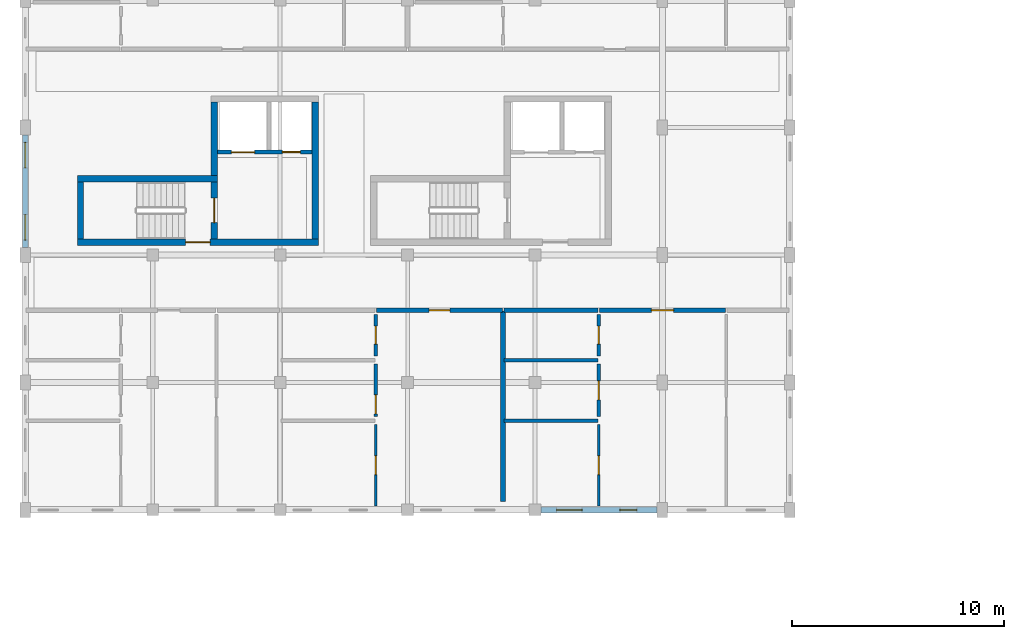
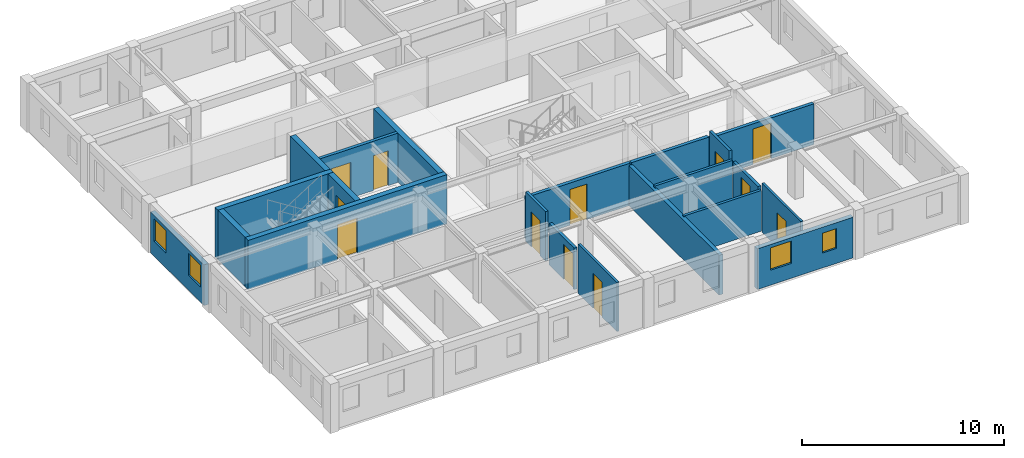
# One storey, part 7 of 28: 21 walls, 12 doors, 4 windows, 16 openings.
"""IFC4 building model written with IfcOpenShell, lengths in metres."""

from ifc_helpers import new_model, si_unit, direction, frame, frame_2d, origin, place, context, subcontext, project, spatial, rectangle, extrude, material, layer, layer_set, type_object, element, fill, save


model = new_model("IFC4")

# Units and contexts
model_context = context("Model", 3, precision=1e-05, world=origin(), true_north=direction((0.0, 1.0)))
body_context = subcontext(model_context, "Body", "Model", "MODEL_VIEW")
ifc_project = project(units=[si_unit("LENGTHUNIT", "METRE"), si_unit("AREAUNIT", "SQUARE_METRE"), si_unit("VOLUMEUNIT", "CUBIC_METRE"), si_unit("PLANEANGLEUNIT", "RADIAN"), si_unit("MASSUNIT", "GRAM", prefix="KILO"), si_unit("POWERUNIT", "WATT"), si_unit("THERMODYNAMICTEMPERATUREUNIT", "KELVIN")], contexts=[model_context])

# Site, building, storey
site_placement = place(None, origin())
site = spatial("IfcSite", under=ifc_project, at=site_placement, CompositionType="ELEMENT")
building_placement = place(site_placement, origin())
building = spatial("IfcBuilding", under=site, at=building_placement, Name="Ruvembo Vaulted Housing Court", CompositionType="ELEMENT")
storey_placement = place(building_placement, frame((0.0, 0.0, 23.699951171875)))
storey = spatial("IfcBuildingStorey", under=building, at=storey_placement, Name="L07", CompositionType="ELEMENT", Elevation=23.699951171875)

# Wall, opening, door
ifc_material_1 = material(Name="Concrete C35/45", Category="concrete")
ifc_layer_1 = layer(ifc_material_1, 0.300048828125, Name="Concrete C35/45")
ifc_layer_set_1 = layer_set([ifc_layer_1], Name="Concrete C35/45")
wall_type_1 = type_object("IfcWallType", Name="WL-CORE-300", PredefinedType="SHEAR", material=ifc_layer_set_1)
wall_1_placement = place(storey_placement, frame((2.449951171875, 18.60009765625, 0.0), z_axis=(0.0, 0.0, 1.0), x_axis=(1.0, 0.0, 0.0)))
wall_1 = element("IfcWall", 1, at=wall_1_placement, inside=storey, type_object=wall_type_1, Name="Core A1 L07 South Shear Wall", PredefinedType="SHEAR", context=body_context, shape_type="SweptSolid", body=[
    extrude(rectangle(XDim=11.35009765625, YDim=0.300048828125, at=frame_2d((5.675048828125, 0.0))), origin(), (0.0, 0.0, 1.0), 2.97509765625),
])
opening_1_placement = place(wall_1_placement, frame((5.10009765625, 0.0, 0.0)))
opening_1 = element("IfcOpeningElement", 2, at=opening_1_placement, cuts=wall_1, Name="Opening LD0", PredefinedType="OPENING", context=body_context, shape_type="SweptSolid", body=[
    extrude(rectangle(XDim=1.14990234375, YDim=2.14990234375, at=frame_2d((0.574951171875, 1.074951171875))), frame((0.0, 0.159912109375, 0.0), z_axis=(0.0, -1.0, 0.0), x_axis=(1.0, 0.0, 0.0)), (0.0, 0.0, 1.0), 0.320068359375),
])
ifc_material_2 = material(Name="Galvanised Painted Steel", Category="steel")
door_type_1 = type_object("IfcDoorType", Name="DR-LOB-1150x2150", OperationType="NOTDEFINED", PredefinedType="DOOR", material=ifc_material_2)
door_1_placement = place(opening_1_placement, origin())
door_1 = element("IfcDoor", 3, at=door_1_placement, inside=storey, type_object=door_type_1, Name="Core A1 L07 Lobby Fire Door", OperationType="SINGLE_SWING_LEFT", OverallHeight=2.14990234375, OverallWidth=1.14990234375, PredefinedType="DOOR", context=body_context, shape_type="SweptSolid", body=[
    extrude(rectangle(XDim=1.14990234375, YDim=2.14990234375, at=frame_2d((0.574951171875, 1.074951171875))), frame((0.0, 0.02490234375, 0.0), z_axis=(0.0, -1.0, 0.0), x_axis=(1.0, 0.0, 0.0)), (0.0, 0.0, 1.0), 0.050048828125),
])
fill(opening_1, door_1)

# Walls
wall_2_placement = place(storey_placement, frame((9.050048828125, 21.60009765625, 0.0), z_axis=(0.0, 0.0, 1.0), x_axis=(-1.0, 0.0, 0.0)))
element("IfcWall", 4, at=wall_2_placement, inside=storey, type_object=wall_type_1, Name="Core A1 L07 Stair North Shear Wall", PredefinedType="SHEAR", context=body_context, shape_type="SweptSolid", body=[
    extrude(rectangle(XDim=6.60009765625, YDim=0.300048828125, at=frame_2d((3.300048828125, 0.0))), origin(), (0.0, 0.0, 1.0), 2.97509765625),
])
wall_3_placement = place(storey_placement, frame((2.60009765625, 21.449951171875, 0.0), z_axis=(0.0, 0.0, 1.0), x_axis=(0.0, -1.0, 0.0)))
element("IfcWall", 5, at=wall_3_placement, inside=storey, type_object=wall_type_1, Name="Core A1 L07 Stair West Shear Wall", PredefinedType="SHEAR", context=body_context, shape_type="SweptSolid", body=[
    extrude(rectangle(XDim=2.699951171875, YDim=0.300048828125, at=frame_2d((1.35009765625, 0.0))), origin(), (0.0, 0.0, 1.0), 2.97509765625),
])

# Wall, opening, door
wall_4_placement = place(storey_placement, frame((8.89990234375, 18.75, 0.0), z_axis=(0.0, 0.0, 1.0), x_axis=(0.0, 1.0, 0.0)))
wall_4 = element("IfcWall", 6, at=wall_4_placement, inside=storey, type_object=wall_type_1, Name="Core A1 L07 Stair-Lobby Shear Wall", PredefinedType="SHEAR", context=body_context, shape_type="SweptSolid", body=[
    extrude(rectangle(XDim=2.699951171875, YDim=0.300048828125, at=frame_2d((1.35009765625, 0.0))), origin(), (0.0, 0.0, 1.0), 2.97509765625),
])
opening_2_placement = place(wall_4_placement, frame((0.77490234375, 0.0, 0.0)))
opening_2 = element("IfcOpeningElement", 7, at=opening_2_placement, cuts=wall_4, Name="Opening SD1", PredefinedType="OPENING", context=body_context, shape_type="SweptSolid", body=[
    extrude(rectangle(XDim=1.14990234375, YDim=2.14990234375, at=frame_2d((0.574951171875, 1.074951171875))), frame((0.0, 0.159912109375, 0.0), z_axis=(0.0, -1.0, 0.0), x_axis=(1.0, 0.0, 0.0)), (0.0, 0.0, 1.0), 0.320068359375),
])
door_type_2 = type_object("IfcDoorType", Name="DR-STAIR-1150x2150", OperationType="NOTDEFINED", PredefinedType="DOOR", material=ifc_material_2)
door_2_placement = place(opening_2_placement, origin())
door_2 = element("IfcDoor", 8, at=door_2_placement, inside=storey, type_object=door_type_2, Name="Stair ST-A1 L07 Fire Door", OperationType="SINGLE_SWING_RIGHT", OverallHeight=2.14990234375, OverallWidth=1.14990234375, PredefinedType="DOOR", context=body_context, shape_type="SweptSolid", body=[
    extrude(rectangle(XDim=1.14990234375, YDim=2.14990234375, at=frame_2d((0.574951171875, 1.074951171875))), frame((0.0, 0.02490234375, 0.0), z_axis=(0.0, -1.0, 0.0), x_axis=(1.0, 0.0, 0.0)), (0.0, 0.0, 1.0), 0.050048828125),
])
fill(opening_2, door_2)

# Walls
wall_5_placement = place(storey_placement, frame((13.64990234375, 18.75, 0.0), z_axis=(0.0, 0.0, 1.0), x_axis=(0.0, 1.0, 0.0)))
element("IfcWall", 9, at=wall_5_placement, inside=storey, type_object=wall_type_1, Name="Core A1 L07 East Shear Wall", PredefinedType="SHEAR", context=body_context, shape_type="SweptSolid", body=[
    extrude(rectangle(XDim=6.449951171875, YDim=0.300048828125, at=frame_2d((3.22509765625, 0.0))), origin(), (0.0, 0.0, 1.0), 2.97509765625),
])
wall_6_placement = place(storey_placement, frame((8.89990234375, 21.75, 0.0), z_axis=(0.0, 0.0, 1.0), x_axis=(0.0, 1.0, 0.0)))
element("IfcWall", 10, at=wall_6_placement, inside=storey, type_object=wall_type_1, Name="Core A1 L07 Upper West Shear Wall", PredefinedType="SHEAR", context=body_context, shape_type="SweptSolid", body=[
    extrude(rectangle(XDim=3.449951171875, YDim=0.300048828125, at=frame_2d((1.72509765625, 0.0))), origin(), (0.0, 0.0, 1.0), 2.97509765625),
])

# Wall, opening, door
ifc_material_3 = material(Name="Concrete Blockwork 190", Category="masonry")
ifc_layer_2 = layer(ifc_material_3, 0.18994140625, Name="Concrete Blockwork 190")
ifc_layer_set_2 = layer_set([ifc_layer_2], Name="Concrete Blockwork 190")
wall_type_2 = type_object("IfcWallType", Name="WL-CORR-190", PredefinedType="SOLIDWALL", material=ifc_layer_set_2)
wall_7_placement = place(storey_placement, frame((16.5400390625, 15.39990234375, 0.0), z_axis=(0.0, 0.0, 1.0), x_axis=(1.0, 0.0, 0.0)))
wall_7 = element("IfcWall", 11, at=wall_7_placement, inside=storey, type_object=wall_type_2, Name="L07 Flat A-L07-S2 Entrance WL-INT-L07-01874", PredefinedType="SOLIDWALL", context=body_context, shape_type="SweptSolid", body=[
    extrude(rectangle(XDim=5.919921875, YDim=0.18994140625, at=frame_2d((2.9599609375, 0.0))), origin(), (0.0, 0.0, 1.0), 2.548095703125),
])
opening_3_placement = place(wall_7_placement, frame((2.469970703125, 0.0, 0.0)))
opening_3 = element("IfcOpeningElement", 12, at=opening_3_placement, cuts=wall_7, Name="Opening FD2", PredefinedType="OPENING", context=body_context, shape_type="SweptSolid", body=[
    extrude(rectangle(XDim=0.97998046875, YDim=2.14990234375, at=frame_2d((0.489990234375, 1.074951171875))), frame((0.0, 0.10498046875, 0.0), z_axis=(0.0, -1.0, 0.0), x_axis=(1.0, 0.0, 0.0)), (0.0, 0.0, 1.0), 0.2099609375),
])
ifc_material_4 = material(Name="FSC Hardwood and Engineered Timber", Category="wood")
door_type_3 = type_object("IfcDoorType", Name="DR-FLAT-0980x2150", OperationType="NOTDEFINED", PredefinedType="DOOR", material=ifc_material_4)
door_3_placement = place(opening_3_placement, origin())
door_3 = element("IfcDoor", 13, at=door_3_placement, inside=storey, type_object=door_type_3, Name="L07 Flat A-L07-S2 Entrance Door DR-INT-L07-01054", OperationType="SINGLE_SWING_RIGHT", OverallHeight=2.14990234375, OverallWidth=0.97998046875, PredefinedType="DOOR", context=body_context, shape_type="SweptSolid", body=[
    extrude(rectangle(XDim=0.97998046875, YDim=2.14990234375, at=frame_2d((0.489990234375, 1.074951171875))), frame((0.0, 0.02490234375, 0.0), z_axis=(0.0, -1.0, 0.0), x_axis=(1.0, 0.0, 0.0)), (0.0, 0.0, 1.0), 0.050048828125),
])
fill(opening_3, door_3)

# Wall
wall_8_placement = place(storey_placement, frame((22.5400390625, 15.39990234375, 0.0), z_axis=(0.0, 0.0, 1.0), x_axis=(1.0, 0.0, 0.0)))
element("IfcWall", 14, at=wall_8_placement, inside=storey, type_object=wall_type_2, Name="L07 Flat A-L07-S3 Corridor Wall WL-INT-L07-01880", PredefinedType="SOLIDWALL", context=body_context, shape_type="SweptSolid", body=[
    extrude(rectangle(XDim=4.419921875, YDim=0.18994140625, at=frame_2d((2.2099609375, 0.0))), origin(), (0.0, 0.0, 1.0), 2.548095703125),
])

# Wall, opening, door
wall_9_placement = place(storey_placement, frame((27.0400390625, 15.39990234375, 0.0), z_axis=(0.0, 0.0, 1.0), x_axis=(1.0, 0.0, 0.0)))
wall_9 = element("IfcWall", 15, at=wall_9_placement, inside=storey, type_object=wall_type_2, Name="L07 Flat A-L07-S3 Entrance WL-INT-L07-01881", PredefinedType="SOLIDWALL", context=body_context, shape_type="SweptSolid", body=[
    extrude(rectangle(XDim=5.919921875, YDim=0.18994140625, at=frame_2d((2.9599609375, 0.0))), origin(), (0.0, 0.0, 1.0), 2.45703125),
])
opening_4_placement = place(wall_9_placement, frame((2.43505859375, 0.0, 0.0)))
opening_4 = element("IfcOpeningElement", 16, at=opening_4_placement, cuts=wall_9, Name="Opening FD3", PredefinedType="OPENING", context=body_context, shape_type="SweptSolid", body=[
    extrude(rectangle(XDim=1.050048828125, YDim=2.14990234375, at=frame_2d((0.52490234375, 1.074951171875))), frame((0.0, 0.10498046875, 0.0), z_axis=(0.0, -1.0, 0.0), x_axis=(1.0, 0.0, 0.0)), (0.0, 0.0, 1.0), 0.2099609375),
])
door_type_4 = type_object("IfcDoorType", Name="DR-FLAT-1050x2150", OperationType="NOTDEFINED", PredefinedType="DOOR", material=ifc_material_4)
door_4_placement = place(opening_4_placement, origin())
door_4 = element("IfcDoor", 17, at=door_4_placement, inside=storey, type_object=door_type_4, Name="L07 Flat A-L07-S3 Entrance Door DR-INT-L07-01058", OperationType="SINGLE_SWING_RIGHT", OverallHeight=2.14990234375, OverallWidth=1.050048828125, PredefinedType="DOOR", context=body_context, shape_type="SweptSolid", body=[
    extrude(rectangle(XDim=1.050048828125, YDim=2.14990234375, at=frame_2d((0.52490234375, 1.074951171875))), frame((0.0, 0.02490234375, 0.0), z_axis=(0.0, -1.0, 0.0), x_axis=(1.0, 0.0, 0.0)), (0.0, 0.0, 1.0), 0.050048828125),
])
fill(opening_4, door_4)

# Wall
ifc_material_5 = material(Name="Acoustic Masonry Demising 230", Category="masonry")
ifc_layer_3 = layer(ifc_material_5, 0.22998046875, Name="Acoustic Masonry Demising 230")
ifc_layer_set_3 = layer_set([ifc_layer_3], Name="Acoustic Masonry Demising 230")
wall_type_3 = type_object("IfcWallType", Name="WL-DEM-230", PredefinedType="SOLIDWALL", material=ifc_layer_set_3)
wall_10_placement = place(storey_placement, frame((22.5, 6.389892578125, 0.0), z_axis=(0.0, 0.0, 1.0), x_axis=(0.0, 1.0, 0.0)))
element("IfcWall", 18, at=wall_10_placement, inside=storey, type_object=wall_type_3, Name="L07 Demising A-L07-S2 WL-INT-L07-01872", PredefinedType="SOLIDWALL", context=body_context, shape_type="SweptSolid", body=[
    extrude(rectangle(XDim=8.97021484375, YDim=0.22998046875, at=frame_2d((4.485107421875, 0.0))), origin(), (0.0, 0.0, 1.0), 2.407958984375),
])

# Wall, openings, windows
ifc_material_6 = material(Name="Rendered Masonry 270", Category="masonry")
ifc_layer_4 = layer(ifc_material_6, 0.27001953125, Name="Rendered Masonry 270")
ifc_layer_set_4 = layer_set([ifc_layer_4], Name="Rendered Masonry 270")
wall_type_4 = type_object("IfcWallType", Name="WL-EXT-270", PredefinedType="STANDARD", material=ifc_layer_set_4)
wall_11_placement = place(storey_placement, frame((24.27490234375, 6.0, 0.0), z_axis=(0.0, 0.0, 1.0), x_axis=(1.0, 0.0, 0.0)))
wall_11 = element("IfcWall", 19, at=wall_11_placement, inside=storey, type_object=wall_type_4, Name="Block A L07 Exterior Wall STREET #5", PredefinedType="STANDARD", context=body_context, shape_type="SweptSolid", body=[
    extrude(rectangle(XDim=5.47509765625, YDim=0.27001953125, at=frame_2d((2.737548828125, 0.0))), origin(), (0.0, 0.0, 1.0), 2.45703125),
])
opening_5_placement = place(wall_11_placement, frame((0.742431640625, 0.0, 0.89990234375)))
opening_5 = element("IfcOpeningElement", 20, at=opening_5_placement, cuts=wall_11, Name="Opening W12", PredefinedType="OPENING", context=body_context, shape_type="SweptSolid", body=[
    extrude(rectangle(XDim=1.199951171875, YDim=1.35009765625, at=frame_2d((0.60009765625, 0.675048828125))), frame((0.0, 0.14501953125, 0.0), z_axis=(0.0, -1.0, 0.0), x_axis=(1.0, 0.0, 0.0)), (0.0, 0.0, 1.0), 0.2900390625),
])
opening_6_placement = place(wall_11_placement, frame((3.719970703125, 0.0, 0.89990234375)))
opening_6 = element("IfcOpeningElement", 21, at=opening_6_placement, cuts=wall_11, Name="Opening W02", PredefinedType="OPENING", context=body_context, shape_type="SweptSolid", body=[
    extrude(rectangle(XDim=0.800048828125, YDim=1.199951171875, at=frame_2d((0.39990234375, 0.60009765625))), frame((0.0, 0.14501953125, 0.0), z_axis=(0.0, -1.0, 0.0), x_axis=(1.0, 0.0, 0.0)), (0.0, 0.0, 1.0), 0.2900390625),
])
ifc_material_7 = material(Name="Double Solar-Control Glazing in Aluminium Frame", Category="aluminium")
window_type_1 = type_object("IfcWindowType", Name="WIN-0800x1200", PartitioningType="SINGLE_PANEL", PredefinedType="WINDOW", material=ifc_material_7)
window_1_placement = place(opening_6_placement, origin())
window_1 = element("IfcWindow", 22, at=window_1_placement, inside=storey, type_object=window_type_1, Name="Block A L07 Window #306", OverallHeight=1.199951171875, OverallWidth=0.800048828125, PartitioningType="SINGLE_PANEL", PredefinedType="WINDOW", context=body_context, shape_type="SweptSolid", body=[
    extrude(rectangle(XDim=0.800048828125, YDim=1.199951171875, at=frame_2d((0.39990234375, 0.60009765625))), frame((0.0, 0.030029296875, 0.0), z_axis=(0.0, -1.0, 0.0), x_axis=(1.0, 0.0, 0.0)), (0.0, 0.0, 1.0), 0.06005859375),
])
fill(opening_6, window_1)
window_type_2 = type_object("IfcWindowType", Name="WIN-1200x1350", PartitioningType="SINGLE_PANEL", PredefinedType="WINDOW", material=ifc_material_7)
window_2_placement = place(opening_5_placement, origin())
window_2 = element("IfcWindow", 23, at=window_2_placement, inside=storey, type_object=window_type_2, Name="Block A L07 Window #305", OverallHeight=1.35009765625, OverallWidth=1.199951171875, PartitioningType="SINGLE_PANEL", PredefinedType="WINDOW", context=body_context, shape_type="SweptSolid", body=[
    extrude(rectangle(XDim=1.199951171875, YDim=1.35009765625, at=frame_2d((0.60009765625, 0.675048828125))), frame((0.0, 0.030029296875, 0.0), z_axis=(0.0, -1.0, 0.0), x_axis=(1.0, 0.0, 0.0)), (0.0, 0.0, 1.0), 0.06005859375),
])
fill(opening_5, window_2)

wall_12_placement = place(storey_placement, frame((0.0, 23.64990234375, 0.0), z_axis=(0.0, 0.0, 1.0), x_axis=(0.0, -1.0, 0.0)))
wall_12 = element("IfcWall", 24, at=wall_12_placement, inside=storey, type_object=wall_type_4, Name="Block A L07 Exterior Wall WEST #3", PredefinedType="STANDARD", context=body_context, shape_type="SweptSolid", body=[
    extrude(rectangle(XDim=5.2998046875, YDim=0.27001953125, at=frame_2d((2.64990234375, 0.0))), origin(), (0.0, 0.0, 1.0), 2.45703125),
])
opening_7_placement = place(wall_12_placement, frame((0.35009765625, 0.0, 0.89990234375)))
opening_7 = element("IfcOpeningElement", 25, at=opening_7_placement, cuts=wall_12, Name="Opening W12", PredefinedType="OPENING", context=body_context, shape_type="SweptSolid", body=[
    extrude(rectangle(XDim=1.199951171875, YDim=1.35009765625, at=frame_2d((0.60009765625, 0.675048828125))), frame((0.0, 0.14501953125, 0.0), z_axis=(0.0, -1.0, 0.0), x_axis=(1.0, 0.0, 0.0)), (0.0, 0.0, 1.0), 0.2900390625),
])
opening_8_placement = place(wall_12_placement, frame((3.75, 0.0, 0.89990234375)))
opening_8 = element("IfcOpeningElement", 26, at=opening_8_placement, cuts=wall_12, Name="Opening W12", PredefinedType="OPENING", context=body_context, shape_type="SweptSolid", body=[
    extrude(rectangle(XDim=1.199951171875, YDim=1.35009765625, at=frame_2d((0.60009765625, 0.675048828125))), frame((0.0, 0.14501953125, 0.0), z_axis=(0.0, -1.0, 0.0), x_axis=(1.0, 0.0, 0.0)), (0.0, 0.0, 1.0), 0.2900390625),
])
window_3_placement = place(opening_7_placement, origin())
window_3 = element("IfcWindow", 27, at=window_3_placement, inside=storey, type_object=window_type_2, Name="Block A L07 Window #335", OverallHeight=1.35009765625, OverallWidth=1.199951171875, PartitioningType="SINGLE_PANEL", PredefinedType="WINDOW", context=body_context, shape_type="SweptSolid", body=[
    extrude(rectangle(XDim=1.199951171875, YDim=1.35009765625, at=frame_2d((0.60009765625, 0.675048828125))), frame((0.0, 0.030029296875, 0.0), z_axis=(0.0, -1.0, 0.0), x_axis=(1.0, 0.0, 0.0)), (0.0, 0.0, 1.0), 0.06005859375),
])
fill(opening_7, window_3)
window_4_placement = place(opening_8_placement, origin())
window_4 = element("IfcWindow", 28, at=window_4_placement, inside=storey, type_object=window_type_2, Name="Block A L07 Window #336", OverallHeight=1.35009765625, OverallWidth=1.199951171875, PartitioningType="SINGLE_PANEL", PredefinedType="WINDOW", context=body_context, shape_type="SweptSolid", body=[
    extrude(rectangle(XDim=1.199951171875, YDim=1.35009765625, at=frame_2d((0.60009765625, 0.675048828125))), frame((0.0, 0.030029296875, 0.0), z_axis=(0.0, -1.0, 0.0), x_axis=(1.0, 0.0, 0.0)), (0.0, 0.0, 1.0), 0.06005859375),
])
fill(opening_8, window_4)

# Wall, opening, door
ifc_material_8 = material(Name="Plasterboard Stud Partition 125", Category="gypsum")
ifc_layer_5 = layer(ifc_material_8, 0.125, Name="Plasterboard Stud Partition 125")
ifc_layer_set_5 = layer_set([ifc_layer_5], Name="Plasterboard Stud Partition 125")
wall_type_5 = type_object("IfcWallType", Name="WL-PART-125", PredefinedType="PARTITIONING", material=ifc_layer_set_5)
wall_13_placement = place(storey_placement, frame((27.0, 6.18994140625, 0.0), z_axis=(0.0, 0.0, 1.0), x_axis=(0.0, 1.0, 0.0)))
wall_13 = element("IfcWall", 29, at=wall_13_placement, inside=storey, type_object=wall_type_5, Name="L07 Flat A-L07-S3 Bedroom 1 WL-INT-L07-01882", PredefinedType="PARTITIONING", context=body_context, shape_type="SweptSolid", body=[
    extrude(rectangle(XDim=3.820068359375, YDim=0.125, at=frame_2d((1.91015625, 0.0))), origin(), (0.0, 0.0, 1.0), 2.97509765625),
])
opening_9_placement = place(wall_13_placement, frame((1.469970703125, 0.0, 0.0)))
opening_9 = element("IfcOpeningElement", 30, at=opening_9_placement, cuts=wall_13, Name="Opening ID3", PredefinedType="OPENING", context=body_context, shape_type="SweptSolid", body=[
    extrude(rectangle(XDim=0.8798828125, YDim=2.10009765625, at=frame_2d((0.43994140625, 1.050048828125))), frame((0.0, 0.072509765625, 0.0), z_axis=(0.0, -1.0, 0.0), x_axis=(1.0, 0.0, 0.0)), (0.0, 0.0, 1.0), 0.14501953125),
])
door_type_5 = type_object("IfcDoorType", Name="DR-ROOM-0880x2100", OperationType="NOTDEFINED", PredefinedType="DOOR", material=ifc_material_4)
door_5_placement = place(opening_9_placement, origin())
door_5 = element("IfcDoor", 31, at=door_5_placement, inside=storey, type_object=door_type_5, Name="L07 Flat A-L07-S3 Bedroom 1 Door DR-INT-L07-01059", OperationType="SINGLE_SWING_LEFT", OverallHeight=2.10009765625, OverallWidth=0.8798828125, PredefinedType="DOOR", context=body_context, shape_type="SweptSolid", body=[
    extrude(rectangle(XDim=0.8798828125, YDim=2.10009765625, at=frame_2d((0.43994140625, 1.050048828125))), frame((0.0, 0.02490234375, 0.0), z_axis=(0.0, -1.0, 0.0), x_axis=(1.0, 0.0, 0.0)), (0.0, 0.0, 1.0), 0.050048828125),
])
fill(opening_9, door_5)

ifc_material_9 = material(Name="Acoustic Stud Partition 135", Category="gypsum")
ifc_layer_6 = layer(ifc_material_9, 0.135009765625, Name="Acoustic Stud Partition 135")
ifc_layer_set_6 = layer_set([ifc_layer_6], Name="Acoustic Stud Partition 135")
wall_type_6 = type_object("IfcWallType", Name="WL-PART-135", PredefinedType="PARTITIONING", material=ifc_layer_set_6)
wall_14_placement = place(storey_placement, frame((16.5, 6.18994140625, 0.0), z_axis=(0.0, 0.0, 1.0), x_axis=(0.0, 1.0, 0.0)))
wall_14 = element("IfcWall", 32, at=wall_14_placement, inside=storey, type_object=wall_type_6, Name="L07 Flat A-L07-S2 Bedroom 1 WL-INT-L07-01875", PredefinedType="PARTITIONING", context=body_context, shape_type="SweptSolid", body=[
    extrude(rectangle(XDim=3.820068359375, YDim=0.135009765625, at=frame_2d((1.91015625, 0.0))), origin(), (0.0, 0.0, 1.0), 2.97509765625),
])
opening_10_placement = place(wall_14_placement, frame((1.469970703125, 0.0, 0.0)))
opening_10 = element("IfcOpeningElement", 33, at=opening_10_placement, cuts=wall_14, Name="Opening ID3", PredefinedType="OPENING", context=body_context, shape_type="SweptSolid", body=[
    extrude(rectangle(XDim=0.8798828125, YDim=2.10009765625, at=frame_2d((0.43994140625, 1.050048828125))), frame((0.0, 0.077392578125, 0.0), z_axis=(0.0, -1.0, 0.0), x_axis=(1.0, 0.0, 0.0)), (0.0, 0.0, 1.0), 0.155029296875),
])
door_6_placement = place(opening_10_placement, origin())
door_6 = element("IfcDoor", 34, at=door_6_placement, inside=storey, type_object=door_type_5, Name="L07 Flat A-L07-S2 Bedroom 1 Door DR-INT-L07-01055", OperationType="SINGLE_SWING_LEFT", OverallHeight=2.10009765625, OverallWidth=0.8798828125, PredefinedType="DOOR", context=body_context, shape_type="SweptSolid", body=[
    extrude(rectangle(XDim=0.8798828125, YDim=2.10009765625, at=frame_2d((0.43994140625, 1.050048828125))), frame((0.0, 0.02490234375, 0.0), z_axis=(0.0, -1.0, 0.0), x_axis=(1.0, 0.0, 0.0)), (0.0, 0.0, 1.0), 0.050048828125),
])
fill(opening_10, door_6)

ifc_material_10 = material(Name="Moisture-Resistant Wet Partition 150", Category="gypsum")
ifc_layer_7 = layer(ifc_material_10, 0.14990234375, Name="Moisture-Resistant Wet Partition 150")
ifc_layer_set_7 = layer_set([ifc_layer_7], Name="Moisture-Resistant Wet Partition 150")
wall_type_7 = type_object("IfcWallType", Name="WL-PART-150", PredefinedType="PARTITIONING", material=ifc_layer_set_7)
wall_15_placement = place(storey_placement, frame((16.5, 13.239990234375, 0.0), z_axis=(0.0, 0.0, 1.0), x_axis=(0.0, 1.0, 0.0)))
wall_15 = element("IfcWall", 35, at=wall_15_placement, inside=storey, type_object=wall_type_7, Name="L07 Flat A-L07-S2 Bathroom WL-INT-L07-01877", PredefinedType="PARTITIONING", context=body_context, shape_type="SweptSolid", body=[
    extrude(rectangle(XDim=1.969970703125, YDim=0.14990234375, at=frame_2d((0.98486328125, 0.0))), origin(), (0.0, 0.0, 1.0), 2.97509765625),
])
opening_11_placement = place(wall_15_placement, frame((0.56005859375, 0.0, 0.0)))
opening_11 = element("IfcOpeningElement", 36, at=opening_11_placement, cuts=wall_15, Name="Opening ID2", PredefinedType="OPENING", context=body_context, shape_type="SweptSolid", body=[
    extrude(rectangle(XDim=0.85009765625, YDim=2.10009765625, at=frame_2d((0.425048828125, 1.050048828125))), frame((0.0, 0.0849609375, 0.0), z_axis=(0.0, -1.0, 0.0), x_axis=(1.0, 0.0, 0.0)), (0.0, 0.0, 1.0), 0.169921875),
])
door_type_6 = type_object("IfcDoorType", Name="DR-WET-0850x2100", OperationType="NOTDEFINED", PredefinedType="DOOR", material=ifc_material_4)
door_7_placement = place(opening_11_placement, origin())
door_7 = element("IfcDoor", 37, at=door_7_placement, inside=storey, type_object=door_type_6, Name="L07 Flat A-L07-S2 Bathroom Door DR-INT-L07-01057", OperationType="SINGLE_SWING_LEFT", OverallHeight=2.10009765625, OverallWidth=0.85009765625, PredefinedType="DOOR", context=body_context, shape_type="SweptSolid", body=[
    extrude(rectangle(XDim=0.85009765625, YDim=2.10009765625, at=frame_2d((0.425048828125, 1.050048828125))), frame((0.0, 0.02490234375, 0.0), z_axis=(0.0, -1.0, 0.0), x_axis=(1.0, 0.0, 0.0)), (0.0, 0.0, 1.0), 0.050048828125),
])
fill(opening_11, door_7)

wall_16_placement = place(storey_placement, frame((27.0, 13.239990234375, 0.0), z_axis=(0.0, 0.0, 1.0), x_axis=(0.0, 1.0, 0.0)))
wall_16 = element("IfcWall", 38, at=wall_16_placement, inside=storey, type_object=wall_type_7, Name="L07 Flat A-L07-S3 Bathroom WL-INT-L07-01884", PredefinedType="PARTITIONING", context=body_context, shape_type="SweptSolid", body=[
    extrude(rectangle(XDim=1.969970703125, YDim=0.14990234375, at=frame_2d((0.98486328125, 0.0))), origin(), (0.0, 0.0, 1.0), 2.97509765625),
])
opening_12_placement = place(wall_16_placement, frame((0.56005859375, 0.0, 0.0)))
opening_12 = element("IfcOpeningElement", 39, at=opening_12_placement, cuts=wall_16, Name="Opening ID2", PredefinedType="OPENING", context=body_context, shape_type="SweptSolid", body=[
    extrude(rectangle(XDim=0.85009765625, YDim=2.10009765625, at=frame_2d((0.425048828125, 1.050048828125))), frame((0.0, 0.0849609375, 0.0), z_axis=(0.0, -1.0, 0.0), x_axis=(1.0, 0.0, 0.0)), (0.0, 0.0, 1.0), 0.169921875),
])
door_8_placement = place(opening_12_placement, origin())
door_8 = element("IfcDoor", 40, at=door_8_placement, inside=storey, type_object=door_type_6, Name="L07 Flat A-L07-S3 Bathroom Door DR-INT-L07-01061", OperationType="SINGLE_SWING_LEFT", OverallHeight=2.10009765625, OverallWidth=0.85009765625, PredefinedType="DOOR", context=body_context, shape_type="SweptSolid", body=[
    extrude(rectangle(XDim=0.85009765625, YDim=2.10009765625, at=frame_2d((0.425048828125, 1.050048828125))), frame((0.0, 0.02490234375, 0.0), z_axis=(0.0, -1.0, 0.0), x_axis=(1.0, 0.0, 0.0)), (0.0, 0.0, 1.0), 0.050048828125),
])
fill(opening_12, door_8)

# Walls
wall_17_placement = place(storey_placement, frame((22.5400390625, 10.199951171875, 0.0), z_axis=(0.0, 0.0, 1.0), x_axis=(1.0, 0.0, 0.0)))
element("IfcWall", 41, at=wall_17_placement, inside=storey, type_object=wall_type_7, Name="L07 Flat A-L07-S3 Wet Wall 1 WL-INT-L07-01885", PredefinedType="PARTITIONING", context=body_context, shape_type="SweptSolid", body=[
    extrude(rectangle(XDim=4.419921875, YDim=0.14990234375, at=frame_2d((2.2099609375, 0.0))), origin(), (0.0, 0.0, 1.0), 2.4580078125),
])
wall_18_placement = place(storey_placement, frame((22.5400390625, 13.050048828125, 0.0), z_axis=(0.0, 0.0, 1.0), x_axis=(1.0, 0.0, 0.0)))
element("IfcWall", 42, at=wall_18_placement, inside=storey, type_object=wall_type_7, Name="L07 Flat A-L07-S3 Wet Wall 2 WL-INT-L07-01886", PredefinedType="PARTITIONING", context=body_context, shape_type="SweptSolid", body=[
    extrude(rectangle(XDim=4.419921875, YDim=0.14990234375, at=frame_2d((2.2099609375, 0.0))), origin(), (0.0, 0.0, 1.0), 2.548095703125),
])

# Wall, opening, door
ifc_material_11 = material(Name="Acoustic Service Chase Wall 160", Category="gypsum")
ifc_layer_8 = layer(ifc_material_11, 0.159912109375, Name="Acoustic Service Chase Wall 160")
ifc_layer_set_8 = layer_set([ifc_layer_8], Name="Acoustic Service Chase Wall 160")
wall_type_8 = type_object("IfcWallType", Name="WL-PLUMB-160", PredefinedType="PLUMBINGWALL", material=ifc_layer_set_8)
wall_19_placement = place(storey_placement, frame((16.5, 10.389892578125, 0.0), z_axis=(0.0, 0.0, 1.0), x_axis=(0.0, 1.0, 0.0)))
wall_19 = element("IfcWall", 43, at=wall_19_placement, inside=storey, type_object=wall_type_8, Name="L07 Flat A-L07-S2 Kitchen WL-INT-L07-01876", PredefinedType="PLUMBINGWALL", context=body_context, shape_type="SweptSolid", body=[
    extrude(rectangle(XDim=2.47021484375, YDim=0.159912109375, at=frame_2d((1.235107421875, 0.0))), origin(), (0.0, 0.0, 1.0), 2.508056640625),
])
opening_13_placement = place(wall_19_placement, frame((0.1298828125, 0.0, 0.0)))
opening_13 = element("IfcOpeningElement", 44, at=opening_13_placement, cuts=wall_19, Name="Opening ID1", PredefinedType="OPENING", context=body_context, shape_type="SweptSolid", body=[
    extrude(rectangle(XDim=0.89990234375, YDim=2.10009765625, at=frame_2d((0.449951171875, 1.050048828125))), frame((0.0, 0.08984375, 0.0), z_axis=(0.0, -1.0, 0.0), x_axis=(1.0, 0.0, 0.0)), (0.0, 0.0, 1.0), 0.179931640625),
])
door_type_7 = type_object("IfcDoorType", Name="DR-ROOM-0900x2100", OperationType="NOTDEFINED", PredefinedType="DOOR", material=ifc_material_4)
door_9_placement = place(opening_13_placement, origin())
door_9 = element("IfcDoor", 45, at=door_9_placement, inside=storey, type_object=door_type_7, Name="L07 Flat A-L07-S2 Kitchen Door DR-INT-L07-01056", OperationType="SINGLE_SWING_RIGHT", OverallHeight=2.10009765625, OverallWidth=0.89990234375, PredefinedType="DOOR", context=body_context, shape_type="SweptSolid", body=[
    extrude(rectangle(XDim=0.89990234375, YDim=2.10009765625, at=frame_2d((0.449951171875, 1.050048828125))), frame((0.0, 0.02490234375, 0.0), z_axis=(0.0, -1.0, 0.0), x_axis=(1.0, 0.0, 0.0)), (0.0, 0.0, 1.0), 0.050048828125),
])
fill(opening_13, door_9)

wall_20_placement = place(storey_placement, frame((27.0, 10.389892578125, 0.0), z_axis=(0.0, 0.0, 1.0), x_axis=(0.0, 1.0, 0.0)))
wall_20 = element("IfcWall", 46, at=wall_20_placement, inside=storey, type_object=wall_type_8, Name="L07 Flat A-L07-S3 Kitchen WL-INT-L07-01883", PredefinedType="PLUMBINGWALL", context=body_context, shape_type="SweptSolid", body=[
    extrude(rectangle(XDim=2.47021484375, YDim=0.159912109375, at=frame_2d((1.235107421875, 0.0))), origin(), (0.0, 0.0, 1.0), 2.548095703125),
])
opening_14_placement = place(wall_20_placement, frame((0.784912109375, 0.0, 0.0)))
opening_14 = element("IfcOpeningElement", 47, at=opening_14_placement, cuts=wall_20, Name="Opening ID1", PredefinedType="OPENING", context=body_context, shape_type="SweptSolid", body=[
    extrude(rectangle(XDim=0.89990234375, YDim=2.10009765625, at=frame_2d((0.449951171875, 1.050048828125))), frame((0.0, 0.08984375, 0.0), z_axis=(0.0, -1.0, 0.0), x_axis=(1.0, 0.0, 0.0)), (0.0, 0.0, 1.0), 0.179931640625),
])
door_10_placement = place(opening_14_placement, origin())
door_10 = element("IfcDoor", 48, at=door_10_placement, inside=storey, type_object=door_type_7, Name="L07 Flat A-L07-S3 Kitchen Door DR-INT-L07-01060", OperationType="SINGLE_SWING_RIGHT", OverallHeight=2.10009765625, OverallWidth=0.89990234375, PredefinedType="DOOR", context=body_context, shape_type="SweptSolid", body=[
    extrude(rectangle(XDim=0.89990234375, YDim=2.10009765625, at=frame_2d((0.449951171875, 1.050048828125))), frame((0.0, 0.02490234375, 0.0), z_axis=(0.0, -1.0, 0.0), x_axis=(1.0, 0.0, 0.0)), (0.0, 0.0, 1.0), 0.050048828125),
])
fill(opening_14, door_10)

# Wall, openings, doors
ifc_material_12 = material(Name="Fire-Rated Masonry Shaft 180", Category="masonry")
ifc_layer_9 = layer(ifc_material_12, 0.179931640625, Name="Fire-Rated Masonry Shaft 180")
ifc_layer_set_9 = layer_set([ifc_layer_9], Name="Fire-Rated Masonry Shaft 180")
wall_type_9 = type_object("IfcWallType", Name="WL-SHAFT-180", PredefinedType="SOLIDWALL", material=ifc_layer_set_9)
wall_21_placement = place(storey_placement, frame((9.050048828125, 22.85009765625, 0.0), z_axis=(0.0, 0.0, 1.0), x_axis=(1.0, 0.0, 0.0)))
wall_21 = element("IfcWall", 49, at=wall_21_placement, inside=storey, type_object=wall_type_9, Name="Core A1 L07 Lift and Riser Front Wall", PredefinedType="SOLIDWALL", context=body_context, shape_type="SweptSolid", body=[
    extrude(rectangle(XDim=4.449951171875, YDim=0.179931640625, at=frame_2d((2.22509765625, 0.0))), origin(), (0.0, 0.0, 1.0), 2.97509765625),
])
opening_15_placement = place(wall_21_placement, frame((0.64990234375, 0.0, 0.0)))
opening_15 = element("IfcOpeningElement", 50, at=opening_15_placement, cuts=wall_21, Name="Opening LD-FL-A1-L07", PredefinedType="OPENING", context=body_context, shape_type="SweptSolid", body=[
    extrude(rectangle(XDim=1.10009765625, YDim=2.14990234375, at=frame_2d((0.550048828125, 1.074951171875))), frame((0.0, 0.099853515625, 0.0), z_axis=(0.0, -1.0, 0.0), x_axis=(1.0, 0.0, 0.0)), (0.0, 0.0, 1.0), 0.199951171875),
])
opening_16_placement = place(wall_21_placement, frame((3.050048828125, 0.0, 0.0)))
opening_16 = element("IfcOpeningElement", 51, at=opening_16_placement, cuts=wall_21, Name="Opening RD1", PredefinedType="OPENING", context=body_context, shape_type="SweptSolid", body=[
    extrude(rectangle(XDim=0.85009765625, YDim=2.10009765625, at=frame_2d((0.425048828125, 1.050048828125))), frame((0.0, 0.099853515625, 0.0), z_axis=(0.0, -1.0, 0.0), x_axis=(1.0, 0.0, 0.0)), (0.0, 0.0, 1.0), 0.199951171875),
])
ifc_material_13 = material(Name="Brushed Stainless Steel 304", Category="steel")
door_type_8 = type_object("IfcDoorType", Name="DR-LIFT-1100x2150", OperationType="NOTDEFINED", PredefinedType="DOOR", material=ifc_material_13)
door_11_placement = place(opening_15_placement, origin())
door_11 = element("IfcDoor", 52, at=door_11_placement, inside=storey, type_object=door_type_8, Name="Lift FL-A1 L07 Sliding Landing Door", OperationType="SLIDING_TO_LEFT", OverallHeight=2.14990234375, OverallWidth=1.10009765625, PredefinedType="DOOR", context=body_context, shape_type="SweptSolid", body=[
    extrude(rectangle(XDim=1.10009765625, YDim=2.14990234375, at=frame_2d((0.550048828125, 1.074951171875))), frame((0.0, 0.02490234375, 0.0), z_axis=(0.0, -1.0, 0.0), x_axis=(1.0, 0.0, 0.0)), (0.0, 0.0, 1.0), 0.050048828125),
])
fill(opening_15, door_11)
door_type_9 = type_object("IfcDoorType", Name="DR-RISER-0850x2100", OperationType="NOTDEFINED", PredefinedType="DOOR", material=ifc_material_2)
door_12_placement = place(opening_16_placement, frame((0.85009765625, 0.0, 0.0), z_axis=(0.0, 0.0, 1.0), x_axis=(-1.0, 0.0, 0.0)))
door_12 = element("IfcDoor", 53, at=door_12_placement, inside=storey, type_object=door_type_9, Name="Core A1 L07 Service Riser Door", OperationType="SINGLE_SWING_LEFT", OverallHeight=2.10009765625, OverallWidth=0.85009765625, PredefinedType="DOOR", context=body_context, shape_type="SweptSolid", body=[
    extrude(rectangle(XDim=0.85009765625, YDim=2.10009765625, at=frame_2d((0.425048828125, 1.050048828125))), frame((0.0, 0.02490234375, 0.0), z_axis=(0.0, -1.0, 0.0), x_axis=(1.0, 0.0, 0.0)), (0.0, 0.0, 1.0), 0.050048828125),
])
fill(opening_16, door_12)

save(model, "model.ifc")
